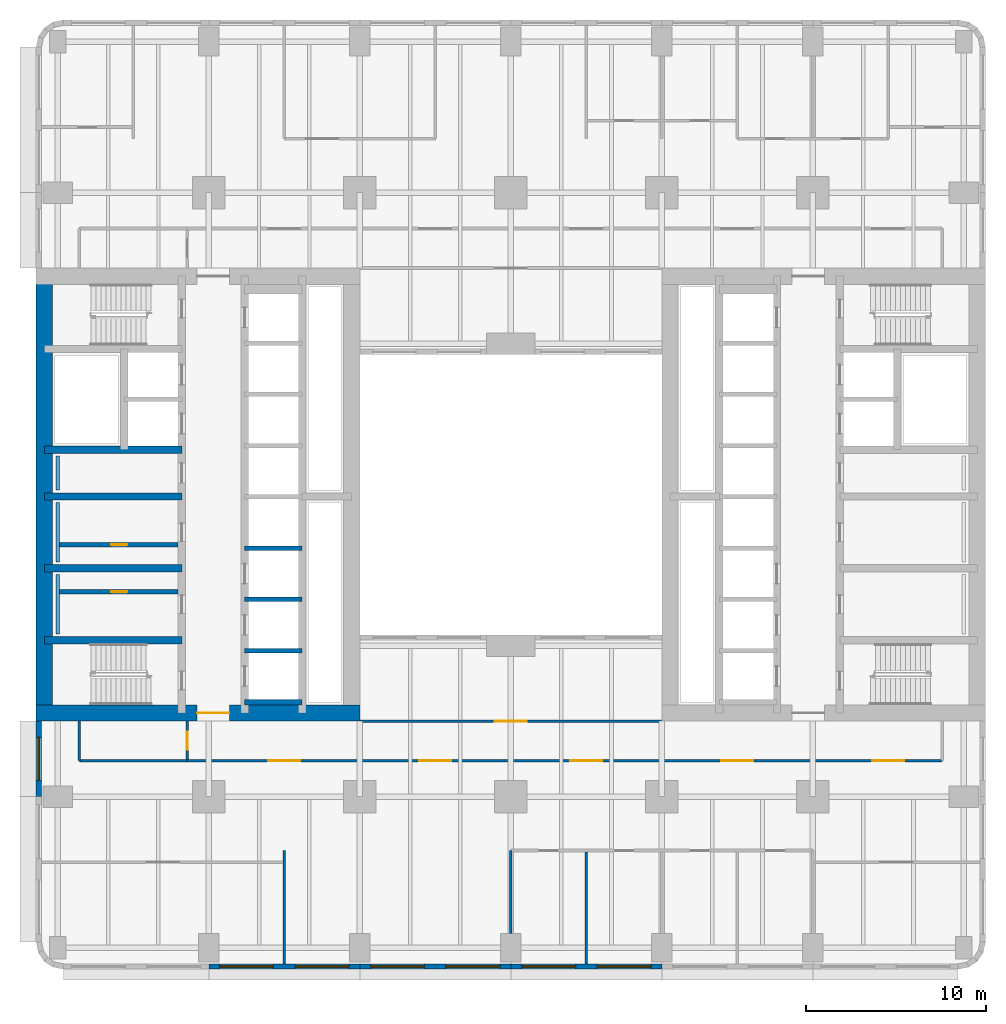
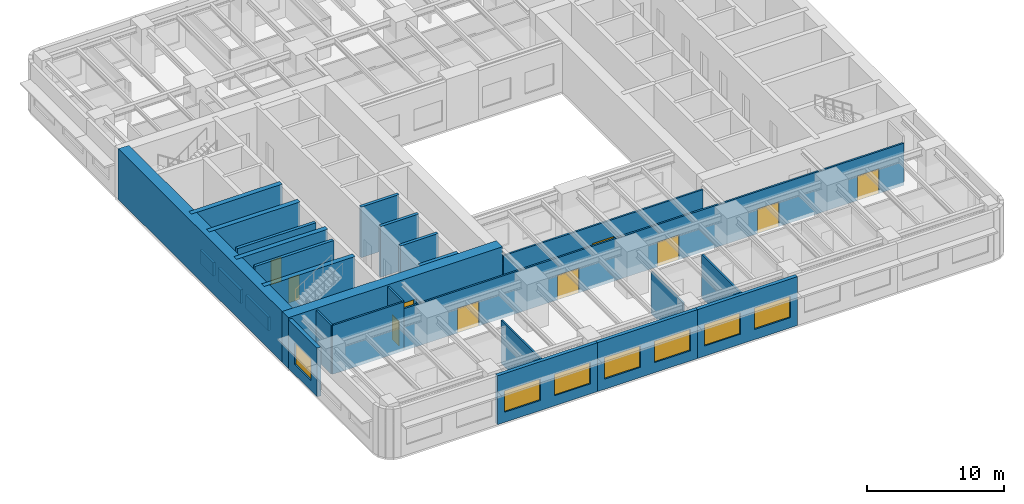
# One storey, part 3 of 14: 27 walls, 10 doors, 7 windows, 17 openings.
"""IFC4 building model written with IfcOpenShell, lengths in metres."""

from ifc_helpers import new_model, si_unit, direction, frame, frame_2d, origin, place, context, subcontext, project, spatial, rectangle, extrude, material, layer, layer_set, type_object, element, fill, save


model = new_model("IFC4")

# Units and contexts
model_context = context("Model", 3, precision=1e-05, world=origin(), true_north=direction((0.0, 1.0)))
body_context = subcontext(model_context, "Body", "Model", "MODEL_VIEW")
ifc_project = project(units=[si_unit("LENGTHUNIT", "METRE"), si_unit("AREAUNIT", "SQUARE_METRE"), si_unit("VOLUMEUNIT", "CUBIC_METRE"), si_unit("PLANEANGLEUNIT", "RADIAN"), si_unit("MASSUNIT", "GRAM", prefix="KILO")], contexts=[model_context])

# Site, building, storey
site_placement = place(None, origin())
site = spatial("IfcSite", under=ifc_project, at=site_placement, CompositionType="ELEMENT")
building_placement = place(site_placement, origin())
building = spatial("IfcBuilding", under=site, at=building_placement, Name="Claustro Exchange Tower", CompositionType="ELEMENT")
storey_placement = place(building_placement, frame((0.0, 0.0, 32.39990234375)))
storey = spatial("IfcBuildingStorey", under=building, at=storey_placement, Name="L07", CompositionType="ELEMENT", Elevation=32.39990234375)

# Walls
ifc_material_1 = material(Name="Gypsum board on steel studs", Category="steel")
ifc_layer_1 = layer(ifc_material_1, 0.14990234375)
ifc_layer_set_1 = layer_set([ifc_layer_1], Name="Gypsum board on steel studs")
wall_type_1 = type_object("IfcWallType", Name="P1 150 plasterboard partition", PredefinedType="PARTITIONING", material=ifc_layer_set_1)
wall_1_placement = place(storey_placement, frame((12.60009765625, -0.902099609375, 0.0), z_axis=(0.0, 0.0, 1.0), x_axis=(0.0, 1.0, 0.0)))
element("IfcWall", 1, at=wall_1_placement, inside=storey, type_object=wall_type_1, Name="Partition P1 L07", PredefinedType="PARTITIONING", context=body_context, shape_type="SweptSolid", body=[
    extrude(rectangle(XDim=6.302001953125, YDim=0.14990234375, at=frame_2d((3.15087890625, 0.0))), origin(), (0.0, 0.0, 1.0), 3.840087890625),
])
wall_2_placement = place(storey_placement, frame((25.199951171875, 0.799072265625, 0.0), z_axis=(0.0, 0.0, 1.0), x_axis=(0.0, 1.0, 0.0)))
element("IfcWall", 2, at=wall_2_placement, inside=storey, type_object=wall_type_1, Name="Partition P1 L07", PredefinedType="PARTITIONING", context=body_context, shape_type="SweptSolid", body=[
    extrude(rectangle(XDim=4.600830078125, YDim=0.14990234375, at=frame_2d((2.30029296875, 0.0))), origin(), (0.0, 0.0, 1.0), 3.739990234375),
])
wall_3_placement = place(storey_placement, frame((29.39990234375, -0.902099609375, 0.0), z_axis=(0.0, 0.0, 1.0), x_axis=(0.0, 1.0, 0.0)))
element("IfcWall", 3, at=wall_3_placement, inside=storey, type_object=wall_type_1, Name="Partition P1 L07", PredefinedType="PARTITIONING", context=body_context, shape_type="SweptSolid", body=[
    extrude(rectangle(XDim=6.22802734375, YDim=0.14990234375, at=frame_2d((3.114013671875, 0.0))), origin(), (0.0, 0.0, 1.0), 3.840087890625),
])

# Wall, openings, doors
wall_4_placement = place(storey_placement, frame((7.197998046875, 10.39990234375, 0.0), z_axis=(0.0, 0.0, 1.0), x_axis=(1.0, 0.0, 0.0)))
wall_4 = element("IfcWall", 4, at=wall_4_placement, inside=storey, type_object=wall_type_1, Name="Partition P1 L07", PredefinedType="PARTITIONING", context=body_context, shape_type="SweptSolid", body=[
    extrude(rectangle(XDim=42.001953125, YDim=0.14990234375, at=frame_2d((21.0009765625, 0.0))), origin(), (0.0, 0.0, 1.0), 3.739990234375),
])
opening_1_placement = place(wall_4_placement, frame((4.501953125, 0.0, 0.0)))
opening_1 = element("IfcOpeningElement", 5, at=opening_1_placement, cuts=wall_4, Name="Opening D2", PredefinedType="OPENING", context=body_context, shape_type="SweptSolid", body=[
    extrude(rectangle(XDim=1.800048828125, YDim=2.199951171875, at=frame_2d((0.89990234375, 1.10009765625))), frame((0.0, 0.0849609375, 0.0), z_axis=(0.0, -1.0, 0.0), x_axis=(1.0, 0.0, 0.0)), (0.0, 0.0, 1.0), 0.169921875),
])
opening_2_placement = place(wall_4_placement, frame((12.902099609375, 0.0, 0.0)))
opening_2 = element("IfcOpeningElement", 6, at=opening_2_placement, cuts=wall_4, Name="Opening D2", PredefinedType="OPENING", context=body_context, shape_type="SweptSolid", body=[
    extrude(rectangle(XDim=1.800048828125, YDim=2.199951171875, at=frame_2d((0.89990234375, 1.10009765625))), frame((0.0, 0.0849609375, 0.0), z_axis=(0.0, -1.0, 0.0), x_axis=(1.0, 0.0, 0.0)), (0.0, 0.0, 1.0), 0.169921875),
])
opening_3_placement = place(wall_4_placement, frame((21.302001953125, 0.0, 0.0)))
opening_3 = element("IfcOpeningElement", 7, at=opening_3_placement, cuts=wall_4, Name="Opening D2", PredefinedType="OPENING", context=body_context, shape_type="SweptSolid", body=[
    extrude(rectangle(XDim=1.800048828125, YDim=2.199951171875, at=frame_2d((0.89990234375, 1.10009765625))), frame((0.0, 0.0849609375, 0.0), z_axis=(0.0, -1.0, 0.0), x_axis=(1.0, 0.0, 0.0)), (0.0, 0.0, 1.0), 0.169921875),
])
opening_4_placement = place(wall_4_placement, frame((29.701904296875, 0.0, 0.0)))
opening_4 = element("IfcOpeningElement", 8, at=opening_4_placement, cuts=wall_4, Name="Opening D2", PredefinedType="OPENING", context=body_context, shape_type="SweptSolid", body=[
    extrude(rectangle(XDim=1.800048828125, YDim=2.199951171875, at=frame_2d((0.89990234375, 1.10009765625))), frame((0.0, 0.0849609375, 0.0), z_axis=(0.0, -1.0, 0.0), x_axis=(1.0, 0.0, 0.0)), (0.0, 0.0, 1.0), 0.169921875),
])
opening_5_placement = place(wall_4_placement, frame((38.10205078125, 0.0, 0.0)))
opening_5 = element("IfcOpeningElement", 9, at=opening_5_placement, cuts=wall_4, Name="Opening D2", PredefinedType="OPENING", context=body_context, shape_type="SweptSolid", body=[
    extrude(rectangle(XDim=1.800048828125, YDim=2.199951171875, at=frame_2d((0.89990234375, 1.10009765625))), frame((0.0, 0.0849609375, 0.0), z_axis=(0.0, -1.0, 0.0), x_axis=(1.0, 0.0, 0.0)), (0.0, 0.0, 1.0), 0.169921875),
])
ifc_material_2 = material(Name="Timber door, oak veneer", Category="wood")
door_type_1 = type_object("IfcDoorType", Name="D2 1800 x 2200 double door", OperationType="DOUBLE_DOOR_SINGLE_SWING", PredefinedType="DOOR", material=ifc_material_2)
door_1_placement = place(opening_1_placement, frame((1.800048828125, 0.0, 0.0), z_axis=(0.0, 0.0, 1.0), x_axis=(-1.0, 0.0, 0.0)))
door_1 = element("IfcDoor", 10, at=door_1_placement, inside=storey, type_object=door_type_1, Name="Double door D2 L07", OperationType="DOUBLE_DOOR_SINGLE_SWING", OverallHeight=2.199951171875, OverallWidth=1.800048828125, PredefinedType="DOOR", context=body_context, shape_type="SweptSolid", body=[
    extrude(rectangle(XDim=1.800048828125, YDim=2.199951171875, at=frame_2d((0.89990234375, 1.10009765625))), frame((0.0, 0.02490234375, 0.0), z_axis=(0.0, -1.0, 0.0), x_axis=(1.0, 0.0, 0.0)), (0.0, 0.0, 1.0), 0.050048828125),
])
fill(opening_1, door_1)
door_2_placement = place(opening_2_placement, frame((1.800048828125, 0.0, 0.0), z_axis=(0.0, 0.0, 1.0), x_axis=(-1.0, 0.0, 0.0)))
door_2 = element("IfcDoor", 11, at=door_2_placement, inside=storey, type_object=door_type_1, Name="Double door D2 L07", OperationType="DOUBLE_DOOR_SINGLE_SWING", OverallHeight=2.199951171875, OverallWidth=1.800048828125, PredefinedType="DOOR", context=body_context, shape_type="SweptSolid", body=[
    extrude(rectangle(XDim=1.800048828125, YDim=2.199951171875, at=frame_2d((0.89990234375, 1.10009765625))), frame((0.0, 0.02490234375, 0.0), z_axis=(0.0, -1.0, 0.0), x_axis=(1.0, 0.0, 0.0)), (0.0, 0.0, 1.0), 0.050048828125),
])
fill(opening_2, door_2)
door_3_placement = place(opening_3_placement, frame((1.800048828125, 0.0, 0.0), z_axis=(0.0, 0.0, 1.0), x_axis=(-1.0, 0.0, 0.0)))
door_3 = element("IfcDoor", 12, at=door_3_placement, inside=storey, type_object=door_type_1, Name="Double door D2 L07", OperationType="DOUBLE_DOOR_SINGLE_SWING", OverallHeight=2.199951171875, OverallWidth=1.800048828125, PredefinedType="DOOR", context=body_context, shape_type="SweptSolid", body=[
    extrude(rectangle(XDim=1.800048828125, YDim=2.199951171875, at=frame_2d((0.89990234375, 1.10009765625))), frame((0.0, 0.02490234375, 0.0), z_axis=(0.0, -1.0, 0.0), x_axis=(1.0, 0.0, 0.0)), (0.0, 0.0, 1.0), 0.050048828125),
])
fill(opening_3, door_3)
door_4_placement = place(opening_4_placement, frame((1.800048828125, 0.0, 0.0), z_axis=(0.0, 0.0, 1.0), x_axis=(-1.0, 0.0, 0.0)))
door_4 = element("IfcDoor", 13, at=door_4_placement, inside=storey, type_object=door_type_1, Name="Double door D2 L07", OperationType="DOUBLE_DOOR_SINGLE_SWING", OverallHeight=2.199951171875, OverallWidth=1.800048828125, PredefinedType="DOOR", context=body_context, shape_type="SweptSolid", body=[
    extrude(rectangle(XDim=1.800048828125, YDim=2.199951171875, at=frame_2d((0.89990234375, 1.10009765625))), frame((0.0, 0.02490234375, 0.0), z_axis=(0.0, -1.0, 0.0), x_axis=(1.0, 0.0, 0.0)), (0.0, 0.0, 1.0), 0.050048828125),
])
fill(opening_4, door_4)
door_5_placement = place(opening_5_placement, frame((1.800048828125, 0.0, 0.0), z_axis=(0.0, 0.0, 1.0), x_axis=(-1.0, 0.0, 0.0)))
door_5 = element("IfcDoor", 14, at=door_5_placement, inside=storey, type_object=door_type_1, Name="Double door D2 L07", OperationType="DOUBLE_DOOR_SINGLE_SWING", OverallHeight=2.199951171875, OverallWidth=1.800048828125, PredefinedType="DOOR", context=body_context, shape_type="SweptSolid", body=[
    extrude(rectangle(XDim=1.800048828125, YDim=2.199951171875, at=frame_2d((0.89990234375, 1.10009765625))), frame((0.0, 0.02490234375, 0.0), z_axis=(0.0, -1.0, 0.0), x_axis=(1.0, 0.0, 0.0)), (0.0, 0.0, 1.0), 0.050048828125),
])
fill(opening_5, door_5)

# Wall, opening, door
wall_5_placement = place(storey_placement, frame((7.199951171875, 10.47412109375, 0.0), z_axis=(0.0, 0.0, 1.0), x_axis=(0.0, 1.0, 0.0)))
wall_5 = element("IfcWall", 15, at=wall_5_placement, inside=storey, type_object=wall_type_1, Name="Partition P1 L07", PredefinedType="PARTITIONING", context=body_context, shape_type="SweptSolid", body=[
    extrude(rectangle(XDim=2.1279296875, YDim=0.14990234375, at=frame_2d((1.06396484375, 0.0))), origin(), (0.0, 0.0, 1.0), 4.340087890625),
])
opening_6_placement = place(wall_5_placement, frame((0.52587890625, 0.0, 0.0)))
opening_6 = element("IfcOpeningElement", 16, at=opening_6_placement, cuts=wall_5, Name="Opening D1", PredefinedType="OPENING", context=body_context, shape_type="SweptSolid", body=[
    extrude(rectangle(XDim=1.0, YDim=2.199951171875, at=frame_2d((0.5, 1.10009765625))), frame((0.0, 0.0849609375, 0.0), z_axis=(0.0, -1.0, 0.0), x_axis=(1.0, 0.0, 0.0)), (0.0, 0.0, 1.0), 0.169921875),
])
ifc_material_3 = material(Name="Timber door, oak veneer", Category="wood")
door_type_2 = type_object("IfcDoorType", Name="D1 1000 x 2200 single door", OperationType="SINGLE_SWING_LEFT", PredefinedType="DOOR", material=ifc_material_3)
door_6_placement = place(opening_6_placement, origin())
door_6 = element("IfcDoor", 17, at=door_6_placement, inside=storey, type_object=door_type_2, Name="Door D1 L07", OperationType="SINGLE_SWING_RIGHT", OverallHeight=2.199951171875, OverallWidth=1.0, PredefinedType="DOOR", context=body_context, shape_type="SweptSolid", body=[
    extrude(rectangle(XDim=1.0, YDim=2.199951171875, at=frame_2d((0.5, 1.10009765625))), frame((0.0, 0.02490234375, 0.0), z_axis=(0.0, -1.0, 0.0), x_axis=(1.0, 0.0, 0.0)), (0.0, 0.0, 1.0), 0.050048828125),
])
fill(opening_6, door_6)

# Walls
wall_6_placement = place(storey_placement, frame((1.199951171875, 10.39990234375, 0.0), z_axis=(0.0, 0.0, 1.0), x_axis=(1.0, 0.0, 0.0)))
element("IfcWall", 18, at=wall_6_placement, inside=storey, type_object=wall_type_1, Name="Partition P1 L07", PredefinedType="PARTITIONING", context=body_context, shape_type="SweptSolid", body=[
    extrude(rectangle(XDim=6.001953125, YDim=0.14990234375, at=frame_2d((3.0009765625, 0.0))), origin(), (0.0, 0.0, 1.0), 4.340087890625),
])
wall_7_placement = place(storey_placement, frame((1.199951171875, 10.39990234375, 0.0), z_axis=(0.0, 0.0, 1.0), x_axis=(0.0, 1.0, 0.0)))
element("IfcWall", 19, at=wall_7_placement, inside=storey, type_object=wall_type_1, Name="Partition P1 L07", PredefinedType="PARTITIONING", context=body_context, shape_type="SweptSolid", body=[
    extrude(rectangle(XDim=2.2021484375, YDim=0.14990234375, at=frame_2d((1.10107421875, 0.0))), origin(), (0.0, 0.0, 1.0), 4.340087890625),
])

# Wall, opening, door
wall_8_placement = place(storey_placement, frame((16.820068359375, 12.60009765625, 0.0), z_axis=(0.0, 0.0, 1.0), x_axis=(1.0, 0.0, 0.0)))
wall_8 = element("IfcWall", 20, at=wall_8_placement, inside=storey, type_object=wall_type_1, Name="Partition P1 L07", PredefinedType="PARTITIONING", context=body_context, shape_type="SweptSolid", body=[
    extrude(rectangle(XDim=16.760009765625, YDim=0.14990234375, at=frame_2d((8.3798828125, 0.0))), origin(), (0.0, 0.0, 1.0), 3.739990234375),
])
opening_7_placement = place(wall_8_placement, frame((7.47998046875, 0.0, 0.0)))
opening_7 = element("IfcOpeningElement", 21, at=opening_7_placement, cuts=wall_8, Name="Opening D2", PredefinedType="OPENING", context=body_context, shape_type="SweptSolid", body=[
    extrude(rectangle(XDim=1.800048828125, YDim=2.199951171875, at=frame_2d((0.89990234375, 1.10009765625))), frame((0.0, 0.0849609375, 0.0), z_axis=(0.0, -1.0, 0.0), x_axis=(1.0, 0.0, 0.0)), (0.0, 0.0, 1.0), 0.169921875),
])
door_7_placement = place(opening_7_placement, frame((1.800048828125, 0.0, 0.0), z_axis=(0.0, 0.0, 1.0), x_axis=(-1.0, 0.0, 0.0)))
door_7 = element("IfcDoor", 22, at=door_7_placement, inside=storey, type_object=door_type_1, Name="Double door D2 L07", OperationType="DOUBLE_DOOR_SINGLE_SWING", OverallHeight=2.199951171875, OverallWidth=1.800048828125, PredefinedType="DOOR", context=body_context, shape_type="SweptSolid", body=[
    extrude(rectangle(XDim=1.800048828125, YDim=2.199951171875, at=frame_2d((0.89990234375, 1.10009765625))), frame((0.0, 0.02490234375, 0.0), z_axis=(0.0, -1.0, 0.0), x_axis=(1.0, 0.0, 0.0)), (0.0, 0.0, 1.0), 0.050048828125),
])
fill(opening_7, door_7)

ifc_material_4 = material(Name="Concrete blockwork, rendered", Category="masonry")
ifc_layer_2 = layer(ifc_material_4, 0.25)
ifc_layer_set_2 = layer_set([ifc_layer_2], Name="Concrete blockwork, rendered")
wall_type_2 = type_object("IfcWallType", Name="P4 250 blockwork wall", PredefinedType="PARTITIONING", material=ifc_layer_set_2)
wall_9_placement = place(storey_placement, frame((0.10009765625, 22.39990234375, 0.0), z_axis=(0.0, 0.0, 1.0), x_axis=(1.0, 0.0, 0.0)))
wall_9 = element("IfcWall", 23, at=wall_9_placement, inside=storey, type_object=wall_type_2, Name="Partition P4 L07", PredefinedType="PARTITIONING", context=body_context, shape_type="SweptSolid", body=[
    extrude(rectangle(XDim=6.599853515625, YDim=0.25, at=frame_2d((3.2998046875, 0.0))), origin(), (0.0, 0.0, 1.0), 4.300048828125),
])
opening_8_placement = place(wall_9_placement, frame((2.875, 0.0, 0.0)))
opening_8 = element("IfcOpeningElement", 24, at=opening_8_placement, cuts=wall_9, Name="Opening D5", PredefinedType="OPENING", context=body_context, shape_type="SweptSolid", body=[
    extrude(rectangle(XDim=0.89990234375, YDim=2.199951171875, at=frame_2d((0.449951171875, 1.10009765625))), frame((0.0, 0.135009765625, 0.0), z_axis=(0.0, -1.0, 0.0), x_axis=(1.0, 0.0, 0.0)), (0.0, 0.0, 1.0), 0.27001953125),
])
ifc_material_5 = material(Name="Steel door, painted", Category="steel")
door_type_3 = type_object("IfcDoorType", Name="D5 900 x 2200 store door", OperationType="SINGLE_SWING_LEFT", PredefinedType="DOOR", material=ifc_material_5)
door_8_placement = place(opening_8_placement, frame((0.89990234375, 0.0, 0.0), z_axis=(0.0, 0.0, 1.0), x_axis=(-1.0, 0.0, 0.0)))
door_8 = element("IfcDoor", 25, at=door_8_placement, inside=storey, type_object=door_type_3, Name="Store door D5 L07", OperationType="SINGLE_SWING_RIGHT", OverallHeight=2.199951171875, OverallWidth=0.89990234375, PredefinedType="DOOR", context=body_context, shape_type="SweptSolid", body=[
    extrude(rectangle(XDim=0.89990234375, YDim=2.199951171875, at=frame_2d((0.449951171875, 1.10009765625))), frame((0.0, 0.02490234375, 0.0), z_axis=(0.0, -1.0, 0.0), x_axis=(1.0, 0.0, 0.0)), (0.0, 0.0, 1.0), 0.050048828125),
])
fill(opening_8, door_8)

wall_10_placement = place(storey_placement, frame((0.10009765625, 19.800048828125, 0.0), z_axis=(0.0, 0.0, 1.0), x_axis=(1.0, 0.0, 0.0)))
wall_10 = element("IfcWall", 26, at=wall_10_placement, inside=storey, type_object=wall_type_2, Name="Partition P4 L07", PredefinedType="PARTITIONING", context=body_context, shape_type="SweptSolid", body=[
    extrude(rectangle(XDim=6.599853515625, YDim=0.25, at=frame_2d((3.2998046875, 0.0))), origin(), (0.0, 0.0, 1.0), 4.300048828125),
])
opening_9_placement = place(wall_10_placement, frame((2.875, 0.0, 0.0)))
opening_9 = element("IfcOpeningElement", 27, at=opening_9_placement, cuts=wall_10, Name="Opening D5", PredefinedType="OPENING", context=body_context, shape_type="SweptSolid", body=[
    extrude(rectangle(XDim=0.89990234375, YDim=2.199951171875, at=frame_2d((0.449951171875, 1.10009765625))), frame((0.0, 0.135009765625, 0.0), z_axis=(0.0, -1.0, 0.0), x_axis=(1.0, 0.0, 0.0)), (0.0, 0.0, 1.0), 0.27001953125),
])
door_9_placement = place(opening_9_placement, origin())
door_9 = element("IfcDoor", 28, at=door_9_placement, inside=storey, type_object=door_type_3, Name="Store door D5 L07", OperationType="SINGLE_SWING_LEFT", OverallHeight=2.199951171875, OverallWidth=0.89990234375, PredefinedType="DOOR", context=body_context, shape_type="SweptSolid", body=[
    extrude(rectangle(XDim=0.89990234375, YDim=2.199951171875, at=frame_2d((0.449951171875, 1.10009765625))), frame((0.0, 0.02490234375, 0.0), z_axis=(0.0, -1.0, 0.0), x_axis=(1.0, 0.0, 0.0)), (0.0, 0.0, 1.0), 0.050048828125),
])
fill(opening_9, door_9)

# Wall, openings, windows
ifc_material_6 = material(Name="Concrete HA-40 (C40/50), precast, white cement, acid-etched", Category="concrete")
ifc_layer_3 = layer(ifc_material_6, 0.300048828125)
ifc_layer_set_3 = layer_set([ifc_layer_3], Name="Concrete HA-40 (C40/50), precast, white cement, acid-etched")
wall_type_3 = type_object("IfcWallType", Name="PC1 300 precast concrete pier panel", PredefinedType="SOLIDWALL", material=ifc_layer_set_3)
wall_11_placement = place(storey_placement, frame((33.60009765625, -1.050048828125, 0.0), z_axis=(0.0, 0.0, 1.0), x_axis=(-1.0, 0.0, 0.0)))
wall_11 = element("IfcWall", 29, at=wall_11_placement, inside=storey, type_object=wall_type_3, Name="Precast pier panel PC1 L07", PredefinedType="SOLIDWALL", context=body_context, shape_type="SweptSolid", body=[
    extrude(rectangle(XDim=8.400146484375, YDim=0.300048828125, at=frame_2d((4.2001953125, 0.0))), origin(), (0.0, 0.0, 1.0), 4.340087890625),
])
opening_10_placement = place(wall_11_placement, frame((0.60009765625, 0.0, 0.89990234375)))
opening_10 = element("IfcOpeningElement", 30, at=opening_10_placement, cuts=wall_11, Name="Opening W1", PredefinedType="OPENING", context=body_context, shape_type="SweptSolid", body=[
    extrude(rectangle(XDim=3.0, YDim=1.89990234375, at=frame_2d((1.5, 0.949951171875))), frame((0.0, 0.159912109375, 0.0), z_axis=(0.0, -1.0, 0.0), x_axis=(1.0, 0.0, 0.0)), (0.0, 0.0, 1.0), 0.320068359375),
])
opening_11_placement = place(wall_11_placement, frame((4.800048828125, 0.0, 0.89990234375)))
opening_11 = element("IfcOpeningElement", 31, at=opening_11_placement, cuts=wall_11, Name="Opening W1", PredefinedType="OPENING", context=body_context, shape_type="SweptSolid", body=[
    extrude(rectangle(XDim=3.0, YDim=1.89990234375, at=frame_2d((1.5, 0.949951171875))), frame((0.0, 0.159912109375, 0.0), z_axis=(0.0, -1.0, 0.0), x_axis=(1.0, 0.0, 0.0)), (0.0, 0.0, 1.0), 0.320068359375),
])
ifc_material_7 = material(Name="Aluminium frame, clear double glazing", Category="aluminium")
window_type_1 = type_object("IfcWindowType", Name="W1 3000 x 1900 window", PartitioningType="SINGLE_PANEL", PredefinedType="WINDOW", material=ifc_material_7)
window_1_placement = place(opening_10_placement, origin())
window_1 = element("IfcWindow", 32, at=window_1_placement, inside=storey, type_object=window_type_1, Name="Window W1 L07", OverallHeight=1.89990234375, OverallWidth=3.0, PartitioningType="SINGLE_PANEL", PredefinedType="WINDOW", context=body_context, shape_type="SweptSolid", body=[
    extrude(rectangle(XDim=3.0, YDim=1.89990234375, at=frame_2d((1.5, 0.949951171875))), frame((0.0, 0.030029296875, 0.0), z_axis=(0.0, -1.0, 0.0), x_axis=(1.0, 0.0, 0.0)), (0.0, 0.0, 1.0), 0.06005859375),
])
fill(opening_10, window_1)
window_2_placement = place(opening_11_placement, origin())
window_2 = element("IfcWindow", 33, at=window_2_placement, inside=storey, type_object=window_type_1, Name="Window W1 L07", OverallHeight=1.89990234375, OverallWidth=3.0, PartitioningType="SINGLE_PANEL", PredefinedType="WINDOW", context=body_context, shape_type="SweptSolid", body=[
    extrude(rectangle(XDim=3.0, YDim=1.89990234375, at=frame_2d((1.5, 0.949951171875))), frame((0.0, 0.030029296875, 0.0), z_axis=(0.0, -1.0, 0.0), x_axis=(1.0, 0.0, 0.0)), (0.0, 0.0, 1.0), 0.06005859375),
])
fill(opening_11, window_2)

wall_12_placement = place(storey_placement, frame((25.199951171875, -1.050048828125, 0.0), z_axis=(0.0, 0.0, 1.0), x_axis=(-1.0, 0.0, 0.0)))
wall_12 = element("IfcWall", 34, at=wall_12_placement, inside=storey, type_object=wall_type_3, Name="Precast pier panel PC1 L07", PredefinedType="SOLIDWALL", context=body_context, shape_type="SweptSolid", body=[
    extrude(rectangle(XDim=8.39990234375, YDim=0.300048828125, at=frame_2d((4.199951171875, 0.0))), origin(), (0.0, 0.0, 1.0), 4.340087890625),
])
opening_12_placement = place(wall_12_placement, frame((0.60009765625, 0.0, 0.89990234375)))
opening_12 = element("IfcOpeningElement", 35, at=opening_12_placement, cuts=wall_12, Name="Opening W1", PredefinedType="OPENING", context=body_context, shape_type="SweptSolid", body=[
    extrude(rectangle(XDim=3.0, YDim=1.89990234375, at=frame_2d((1.5, 0.949951171875))), frame((0.0, 0.159912109375, 0.0), z_axis=(0.0, -1.0, 0.0), x_axis=(1.0, 0.0, 0.0)), (0.0, 0.0, 1.0), 0.320068359375),
])
opening_13_placement = place(wall_12_placement, frame((4.800048828125, 0.0, 0.89990234375)))
opening_13 = element("IfcOpeningElement", 36, at=opening_13_placement, cuts=wall_12, Name="Opening W1", PredefinedType="OPENING", context=body_context, shape_type="SweptSolid", body=[
    extrude(rectangle(XDim=3.0, YDim=1.89990234375, at=frame_2d((1.5, 0.949951171875))), frame((0.0, 0.159912109375, 0.0), z_axis=(0.0, -1.0, 0.0), x_axis=(1.0, 0.0, 0.0)), (0.0, 0.0, 1.0), 0.320068359375),
])
window_3_placement = place(opening_12_placement, origin())
window_3 = element("IfcWindow", 37, at=window_3_placement, inside=storey, type_object=window_type_1, Name="Window W1 L07", OverallHeight=1.89990234375, OverallWidth=3.0, PartitioningType="SINGLE_PANEL", PredefinedType="WINDOW", context=body_context, shape_type="SweptSolid", body=[
    extrude(rectangle(XDim=3.0, YDim=1.89990234375, at=frame_2d((1.5, 0.949951171875))), frame((0.0, 0.030029296875, 0.0), z_axis=(0.0, -1.0, 0.0), x_axis=(1.0, 0.0, 0.0)), (0.0, 0.0, 1.0), 0.06005859375),
])
fill(opening_12, window_3)
window_4_placement = place(opening_13_placement, origin())
window_4 = element("IfcWindow", 38, at=window_4_placement, inside=storey, type_object=window_type_1, Name="Window W1 L07", OverallHeight=1.89990234375, OverallWidth=3.0, PartitioningType="SINGLE_PANEL", PredefinedType="WINDOW", context=body_context, shape_type="SweptSolid", body=[
    extrude(rectangle(XDim=3.0, YDim=1.89990234375, at=frame_2d((1.5, 0.949951171875))), frame((0.0, 0.030029296875, 0.0), z_axis=(0.0, -1.0, 0.0), x_axis=(1.0, 0.0, 0.0)), (0.0, 0.0, 1.0), 0.06005859375),
])
fill(opening_13, window_4)

wall_13_placement = place(storey_placement, frame((16.800048828125, -1.050048828125, 0.0), z_axis=(0.0, 0.0, 1.0), x_axis=(-1.0, 0.0, 0.0)))
wall_13 = element("IfcWall", 39, at=wall_13_placement, inside=storey, type_object=wall_type_3, Name="Precast pier panel PC1 L07", PredefinedType="SOLIDWALL", context=body_context, shape_type="SweptSolid", body=[
    extrude(rectangle(XDim=8.400146484375, YDim=0.300048828125, at=frame_2d((4.2001953125, 0.0))), origin(), (0.0, 0.0, 1.0), 4.340087890625),
])
opening_14_placement = place(wall_13_placement, frame((0.60009765625, 0.0, 0.89990234375)))
opening_14 = element("IfcOpeningElement", 40, at=opening_14_placement, cuts=wall_13, Name="Opening W1", PredefinedType="OPENING", context=body_context, shape_type="SweptSolid", body=[
    extrude(rectangle(XDim=3.0, YDim=1.89990234375, at=frame_2d((1.5, 0.949951171875))), frame((0.0, 0.159912109375, 0.0), z_axis=(0.0, -1.0, 0.0), x_axis=(1.0, 0.0, 0.0)), (0.0, 0.0, 1.0), 0.320068359375),
])
opening_15_placement = place(wall_13_placement, frame((4.800048828125, 0.0, 0.89990234375)))
opening_15 = element("IfcOpeningElement", 41, at=opening_15_placement, cuts=wall_13, Name="Opening W1", PredefinedType="OPENING", context=body_context, shape_type="SweptSolid", body=[
    extrude(rectangle(XDim=3.0, YDim=1.89990234375, at=frame_2d((1.5, 0.949951171875))), frame((0.0, 0.159912109375, 0.0), z_axis=(0.0, -1.0, 0.0), x_axis=(1.0, 0.0, 0.0)), (0.0, 0.0, 1.0), 0.320068359375),
])
window_5_placement = place(opening_14_placement, origin())
window_5 = element("IfcWindow", 42, at=window_5_placement, inside=storey, type_object=window_type_1, Name="Window W1 L07", OverallHeight=1.89990234375, OverallWidth=3.0, PartitioningType="SINGLE_PANEL", PredefinedType="WINDOW", context=body_context, shape_type="SweptSolid", body=[
    extrude(rectangle(XDim=3.0, YDim=1.89990234375, at=frame_2d((1.5, 0.949951171875))), frame((0.0, 0.030029296875, 0.0), z_axis=(0.0, -1.0, 0.0), x_axis=(1.0, 0.0, 0.0)), (0.0, 0.0, 1.0), 0.06005859375),
])
fill(opening_14, window_5)
window_6_placement = place(opening_15_placement, origin())
window_6 = element("IfcWindow", 43, at=window_6_placement, inside=storey, type_object=window_type_1, Name="Window W1 L07", OverallHeight=1.89990234375, OverallWidth=3.0, PartitioningType="SINGLE_PANEL", PredefinedType="WINDOW", context=body_context, shape_type="SweptSolid", body=[
    extrude(rectangle(XDim=3.0, YDim=1.89990234375, at=frame_2d((1.5, 0.949951171875))), frame((0.0, 0.030029296875, 0.0), z_axis=(0.0, -1.0, 0.0), x_axis=(1.0, 0.0, 0.0)), (0.0, 0.0, 1.0), 0.06005859375),
])
fill(opening_15, window_6)

# Wall, opening, window
wall_14_placement = place(storey_placement, frame((-1.050048828125, 8.39990234375, 0.0), z_axis=(0.0, 0.0, 1.0), x_axis=(0.0, 1.0, 0.0)))
wall_14 = element("IfcWall", 44, at=wall_14_placement, inside=storey, type_object=wall_type_3, Name="Precast pier panel PC1 L07", PredefinedType="SOLIDWALL", context=body_context, shape_type="SweptSolid", body=[
    extrude(rectangle(XDim=4.2001953125, YDim=0.300048828125, at=frame_2d((2.10009765625, 0.0))), origin(), (0.0, 0.0, 1.0), 4.340087890625),
])
opening_16_placement = place(wall_14_placement, frame((0.89990234375, 0.0, 0.89990234375)))
opening_16 = element("IfcOpeningElement", 45, at=opening_16_placement, cuts=wall_14, Name="Opening W2", PredefinedType="OPENING", context=body_context, shape_type="SweptSolid", body=[
    extrude(rectangle(XDim=2.39990234375, YDim=1.89990234375, at=frame_2d((1.199951171875, 0.949951171875))), frame((0.0, 0.159912109375, 0.0), z_axis=(0.0, -1.0, 0.0), x_axis=(1.0, 0.0, 0.0)), (0.0, 0.0, 1.0), 0.320068359375),
])
ifc_material_8 = material(Name="Aluminium frame, clear double glazing", Category="aluminium")
window_type_2 = type_object("IfcWindowType", Name="W2 2400 x 1900 window", PartitioningType="SINGLE_PANEL", PredefinedType="WINDOW", material=ifc_material_8)
window_7_placement = place(opening_16_placement, origin())
window_7 = element("IfcWindow", 46, at=window_7_placement, inside=storey, type_object=window_type_2, Name="Window W2 L07", OverallHeight=1.89990234375, OverallWidth=2.39990234375, PartitioningType="SINGLE_PANEL", PredefinedType="WINDOW", context=body_context, shape_type="SweptSolid", body=[
    extrude(rectangle(XDim=2.39990234375, YDim=1.89990234375, at=frame_2d((1.199951171875, 0.949951171875))), frame((0.0, 0.030029296875, 0.0), z_axis=(0.0, -1.0, 0.0), x_axis=(1.0, 0.0, 0.0)), (0.0, 0.0, 1.0), 0.06005859375),
])
fill(opening_16, window_7)

# Walls
ifc_material_9 = material(Name="Gypsum board on steel studs, tiled", Category="steel")
ifc_layer_4 = layer(ifc_material_9, 0.199951171875)
ifc_layer_set_4 = layer_set([ifc_layer_4], Name="Gypsum board on steel studs, tiled")
wall_type_4 = type_object("IfcWallType", Name="PW1 200 WC duct wall", PredefinedType="PLUMBINGWALL", material=ifc_layer_set_4)
for number, where, z_axis, x_axis, name in (
    (47, (0.0, 17.449951171875, 0.0), (0.0, 0.0, 1.0), (0.0, 1.0, 0.0), "WC duct wall PW1 L07"),
    (48, (0.0, 21.449951171875, 0.0), (0.0, 0.0, 1.0), (0.0, 1.0, 0.0), "WC duct wall PW1 L07"),
):
    element("IfcWall", number, at=place(storey_placement, frame(where, z_axis=z_axis, x_axis=x_axis)), inside=storey, type_object=wall_type_4, Name=name, PredefinedType="PLUMBINGWALL", context=body_context, shape_type="SweptSolid", body=[
        extrude(rectangle(XDim=3.300048828125, YDim=0.199951171875, at=frame_2d((1.64990234375, 0.0))), origin(), (0.0, 0.0, 1.0), 1.2001953125),
    ])
wall_15_placement = place(storey_placement, frame((0.0, 25.449951171875, 0.0), z_axis=(0.0, 0.0, 1.0), x_axis=(0.0, 1.0, 0.0)))
element("IfcWall", 49, at=wall_15_placement, inside=storey, type_object=wall_type_4, Name="WC duct wall PW1 L07", PredefinedType="PLUMBINGWALL", context=body_context, shape_type="SweptSolid", body=[
    extrude(rectangle(XDim=1.900146484375, YDim=0.199951171875, at=frame_2d((0.9501953125, 0.0))), origin(), (0.0, 0.0, 1.0), 1.2001953125),
])

# Wall, opening, door
ifc_material_10 = material(Name="Concrete HA-70 (C70/85)", Category="concrete")
ifc_layer_5 = layer(ifc_material_10, 0.89990234375)
ifc_layer_set_5 = layer_set([ifc_layer_5], Name="Concrete HA-70 (C70/85)")
wall_type_5 = type_object("IfcWallType", Name="SW1 900 core shear wall", PredefinedType="SHEAR", material=ifc_layer_set_5)
wall_16_placement = place(storey_placement, frame((-1.199951171875, 13.050048828125, 0.0), z_axis=(0.0, 0.0, 1.0), x_axis=(1.0, 0.0, 0.0)))
wall_16 = element("IfcWall", 50, at=wall_16_placement, inside=storey, type_object=wall_type_5, Name="Core wall SW1 W core S face L07", PredefinedType="SHEAR", context=body_context, shape_type="SweptSolid", body=[
    extrude(rectangle(XDim=18.0, YDim=0.89990234375, at=frame_2d((9.0, 0.0))), origin(), (0.0, 0.0, 1.0), 4.5),
])
opening_17_placement = place(wall_16_placement, frame((8.949951171875, 0.0, 0.0)))
opening_17 = element("IfcOpeningElement", 51, at=opening_17_placement, cuts=wall_16, Name="Opening D3", PredefinedType="OPENING", context=body_context, shape_type="SweptSolid", body=[
    extrude(rectangle(XDim=1.800048828125, YDim=2.39990234375, at=frame_2d((0.89990234375, 1.199951171875))), frame((0.0, 0.4599609375, 0.0), z_axis=(0.0, -1.0, 0.0), x_axis=(1.0, 0.0, 0.0)), (0.0, 0.0, 1.0), 0.919921875),
])
ifc_material_11 = material(Name="Steel fire door, painted", Category="steel")
door_type_4 = type_object("IfcDoorType", Name="D3 1800 x 2400 fire-rated lobby double door", OperationType="DOUBLE_DOOR_SINGLE_SWING", PredefinedType="DOOR", material=ifc_material_11)
door_10_placement = place(opening_17_placement, origin())
door_10 = element("IfcDoor", 52, at=door_10_placement, inside=storey, type_object=door_type_4, Name="Lift lobby door D3 L07", OperationType="DOUBLE_DOOR_SINGLE_SWING", OverallHeight=2.39990234375, OverallWidth=1.800048828125, PredefinedType="DOOR", context=body_context, shape_type="SweptSolid", body=[
    extrude(rectangle(XDim=1.800048828125, YDim=2.39990234375, at=frame_2d((0.89990234375, 1.199951171875))), frame((0.0, 0.02490234375, 0.0), z_axis=(0.0, -1.0, 0.0), x_axis=(1.0, 0.0, 0.0)), (0.0, 0.0, 1.0), 0.050048828125),
])
fill(opening_17, door_10)

# Walls
ifc_material_12 = material(Name="Concrete HA-70 (C70/85)", Category="concrete")
ifc_layer_6 = layer(ifc_material_12, 0.89990234375)
ifc_layer_set_6 = layer_set([ifc_layer_6], Name="Concrete HA-70 (C70/85)")
wall_type_6 = type_object("IfcWallType", Name="SW1X 900 exposed core shear wall, board-marked face", PredefinedType="SHEAR", material=ifc_layer_set_6)
wall_17_placement = place(storey_placement, frame((-0.75, 13.050048828125, 0.0), z_axis=(0.0, 0.0, 1.0), x_axis=(0.0, 1.0, 0.0)))
element("IfcWall", 53, at=wall_17_placement, inside=storey, type_object=wall_type_6, Name="Core wall SW1X W core W face L07", PredefinedType="SHEAR", context=body_context, shape_type="SweptSolid", body=[
    extrude(rectangle(XDim=24.300048828125, YDim=0.89990234375, at=frame_2d((12.14990234375, 0.0))), origin(), (0.0, 0.0, 1.0), 4.5),
])
ifc_material_13 = material(Name="Concrete HA-50 (C50/60)", Category="concrete")
ifc_layer_7 = layer(ifc_material_13, 0.39990234375)
ifc_layer_set_7 = layer_set([ifc_layer_7], Name="Concrete HA-50 (C50/60)")
wall_type_7 = type_object("IfcWallType", Name="SW4 400 internal core wall", PredefinedType="SHEAR", material=ifc_layer_set_7)
for number, where, z_axis, x_axis, name in (
    (54, (-0.75, 17.10009765625, 0.0), (0.0, 0.0, 1.0), (1.0, 0.0, 0.0), "Internal core wall SW4 W core L07"),
    (55, (-0.75, 21.10009765625, 0.0), (0.0, 0.0, 1.0), (1.0, 0.0, 0.0), "Internal core wall SW4 W core L07"),
    (56, (-0.75, 25.10009765625, 0.0), (0.0, 0.0, 1.0), (1.0, 0.0, 0.0), "Internal core wall SW4 W core L07"),
    (57, (-0.75, 27.699951171875, 0.0), (0.0, 0.0, 1.0), (1.0, 0.0, 0.0), "Internal core wall SW4 W core L07"),
):
    element("IfcWall", number, at=place(storey_placement, frame(where, z_axis=z_axis, x_axis=x_axis)), inside=storey, type_object=wall_type_7, Name=name, PredefinedType="SHEAR", context=body_context, shape_type="SweptSolid", body=[
        extrude(rectangle(XDim=7.64990234375, YDim=0.39990234375, at=frame_2d((3.824951171875, 0.0))), origin(), (0.0, 0.0, 1.0), 4.5),
    ])
ifc_material_14 = material(Name="Concrete HA-50 (C50/60)", Category="concrete")
ifc_layer_8 = layer(ifc_material_14, 0.25)
ifc_layer_set_8 = layer_set([ifc_layer_8], Name="Concrete HA-50 (C50/60)")
wall_type_8 = type_object("IfcWallType", Name="SW5 250 lift shaft divider wall", PredefinedType="SHEAR", material=ifc_layer_set_8)
for number, where, z_axis, x_axis, name in (
    (58, (10.39990234375, 16.52490234375, 0.0), (0.0, 0.0, 1.0), (1.0, 0.0, 0.0), "Lift shaft wall W core L07"),
    (59, (10.39990234375, 19.375, 0.0), (0.0, 0.0, 1.0), (1.0, 0.0, 0.0), "Lift shaft wall W core L07"),
    (60, (10.39990234375, 22.22509765625, 0.0), (0.0, 0.0, 1.0), (1.0, 0.0, 0.0), "Lift shaft wall W core L07"),
):
    element("IfcWall", number, at=place(storey_placement, frame(where, z_axis=z_axis, x_axis=x_axis)), inside=storey, type_object=wall_type_8, Name=name, PredefinedType="SHEAR", context=body_context, shape_type="SweptSolid", body=[
        extrude(rectangle(XDim=3.2001953125, YDim=0.25, at=frame_2d((1.60009765625, 0.0))), origin(), (0.0, 0.0, 1.0), 4.5),
    ])
ifc_material_15 = material(Name="Concrete HA-50 (C50/60)", Category="concrete")
ifc_layer_9 = layer(ifc_material_15, 0.300048828125)
ifc_layer_set_9 = layer_set([ifc_layer_9], Name="Concrete HA-50 (C50/60)")
wall_type_9 = type_object("IfcWallType", Name="SW6A 300 lift shaft end wall", PredefinedType="SHEAR", material=ifc_layer_set_9)
wall_18_placement = place(storey_placement, frame((10.39990234375, 13.64990234375, 0.0), z_axis=(0.0, 0.0, 1.0), x_axis=(1.0, 0.0, 0.0)))
element("IfcWall", 61, at=wall_18_placement, inside=storey, type_object=wall_type_9, Name="Lift shaft wall W core L07", PredefinedType="SHEAR", context=body_context, shape_type="SweptSolid", body=[
    extrude(rectangle(XDim=3.2001953125, YDim=0.300048828125, at=frame_2d((1.60009765625, 0.0))), origin(), (0.0, 0.0, 1.0), 4.5),
])

save(model, "model.ifc")
